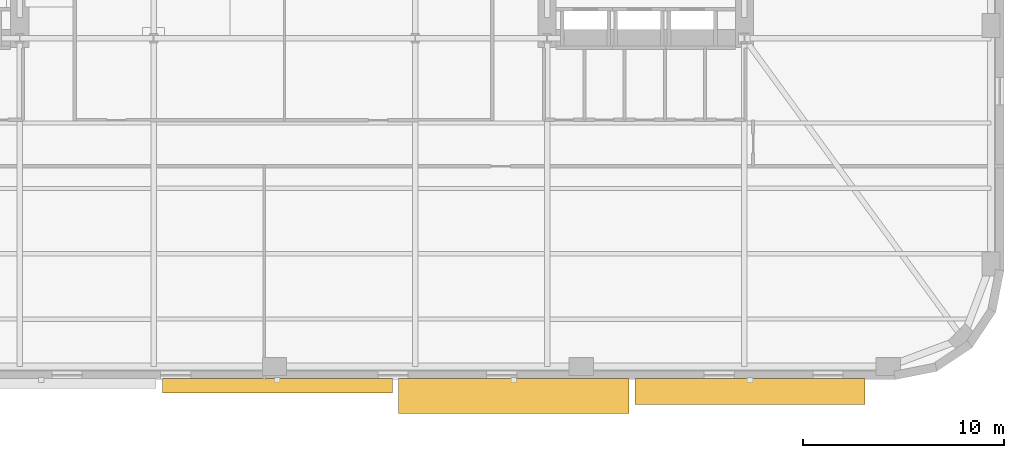
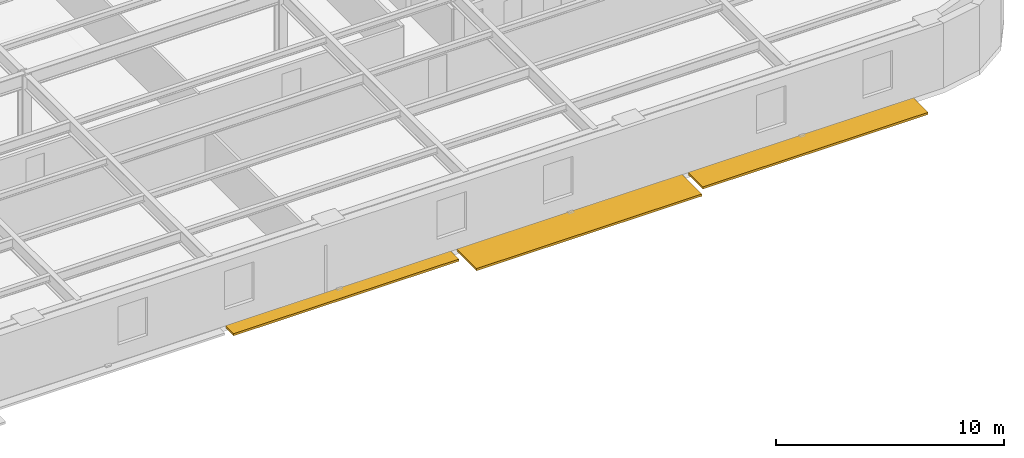
# One storey, part 11 of 15: 3 shading devices.
"""IFC4 building model written with IfcOpenShell, lengths in metres."""

from ifc_helpers import new_model, si_unit, direction, frame, origin, origin_2d, place, context, subcontext, project, spatial, rectangle, extrude, material, type_object, element, save


model = new_model("IFC4")

# Units and contexts
model_context = context("Model", 3, precision=1e-05, world=origin(), true_north=direction((0.0, 1.0)))
body_context = subcontext(model_context, "Body", "Model", "MODEL_VIEW")
ifc_project = project(units=[si_unit("LENGTHUNIT", "METRE"), si_unit("AREAUNIT", "SQUARE_METRE"), si_unit("VOLUMEUNIT", "CUBIC_METRE"), si_unit("PLANEANGLEUNIT", "RADIAN"), si_unit("MASSUNIT", "GRAM", prefix="KILO")], contexts=[model_context])

# Site, building, storey
site_placement = place(None, origin())
site = spatial("IfcSite", under=ifc_project, at=site_placement, CompositionType="ELEMENT")
building_placement = place(site_placement, origin())
building = spatial("IfcBuilding", under=site, at=building_placement, Name="Kolvaren Arena Tower", CompositionType="ELEMENT")
storey_placement = place(building_placement, frame((0.0, 0.0, 45.75)))
storey = spatial("IfcBuildingStorey", under=building, at=storey_placement, Name="L08", CompositionType="ELEMENT", Elevation=45.75)

# Shading devices
ifc_material = material(Name="Architectural precast GFRC and anodised aluminium sunshade", Category="concrete")
shading_device_type_1 = type_object("IfcShadingDeviceType", Name="SHAD-SINE-A", PredefinedType="USERDEFINED", material=ifc_material)
shading_device_1_placement = place(storey_placement, frame((37.14990234375, 2.189697265625, -0.14013671875), z_axis=(0.0, 0.0, 1.0), x_axis=(-1.0, 0.0, 0.0)))
element("IfcShadingDevice", 1, at=shading_device_1_placement, inside=storey, type_object=shading_device_type_1, Name="Sinusoidal Slab-Edge Sunshade Louvre (L08)", ObjectType="LOUVRE", PredefinedType="USERDEFINED", context=body_context, shape_type="SweptSolid", body=[
    extrude(rectangle(XDim=11.43994140625, YDim=0.720703125, at=origin_2d()), origin(), (0.0, 0.0, 1.0), 0.1201171875),
])
shading_device_type_2 = type_object("IfcShadingDeviceType", Name="SHAD-SINE-B", PredefinedType="JALOUSIE", material=ifc_material)
shading_device_2_placement = place(storey_placement, frame((60.6298828125, 1.9033203125, -0.14013671875), z_axis=(0.0, 0.0, 1.0), x_axis=(-1.0, 0.0, 0.0)))
element("IfcShadingDevice", 2, at=shading_device_2_placement, inside=storey, type_object=shading_device_type_2, Name="Sinusoidal Slab-Edge Sunshade Louvre (L08)", PredefinedType="JALOUSIE", context=body_context, shape_type="SweptSolid", body=[
    extrude(rectangle(XDim=11.43994140625, YDim=1.293701171875, at=origin_2d()), origin(), (0.0, 0.0, 1.0), 0.1201171875),
])
shading_device_3_placement = place(storey_placement, frame((48.889892578125, 1.6796875, -0.14013671875), z_axis=(0.0, 0.0, 1.0), x_axis=(-1.0, 0.0, 0.0)))
element("IfcShadingDevice", 3, at=shading_device_3_placement, inside=storey, type_object=shading_device_type_2, Name="Sinusoidal Slab-Edge Sunshade Louvre (L08)", PredefinedType="JALOUSIE", context=body_context, shape_type="SweptSolid", body=[
    extrude(rectangle(XDim=11.43994140625, YDim=1.740478515625, at=origin_2d()), origin(), (0.0, 0.0, 1.0), 0.1201171875),
])

save(model, "model.ifc")
